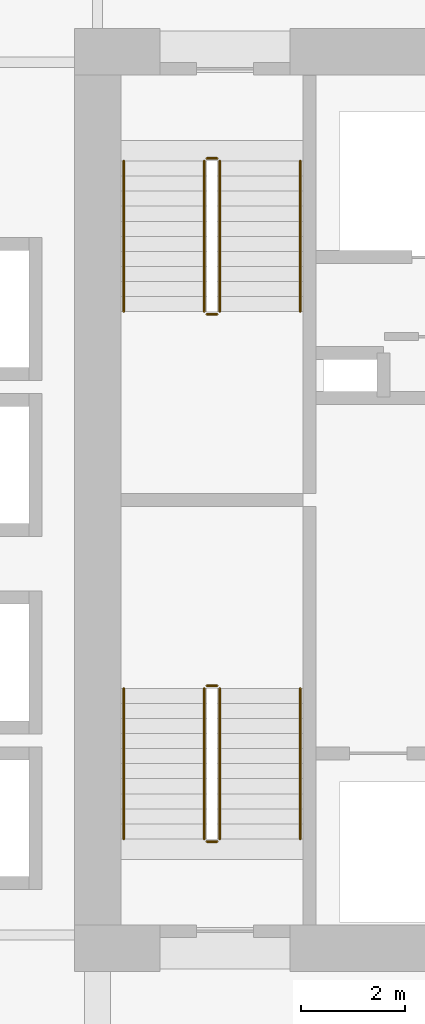
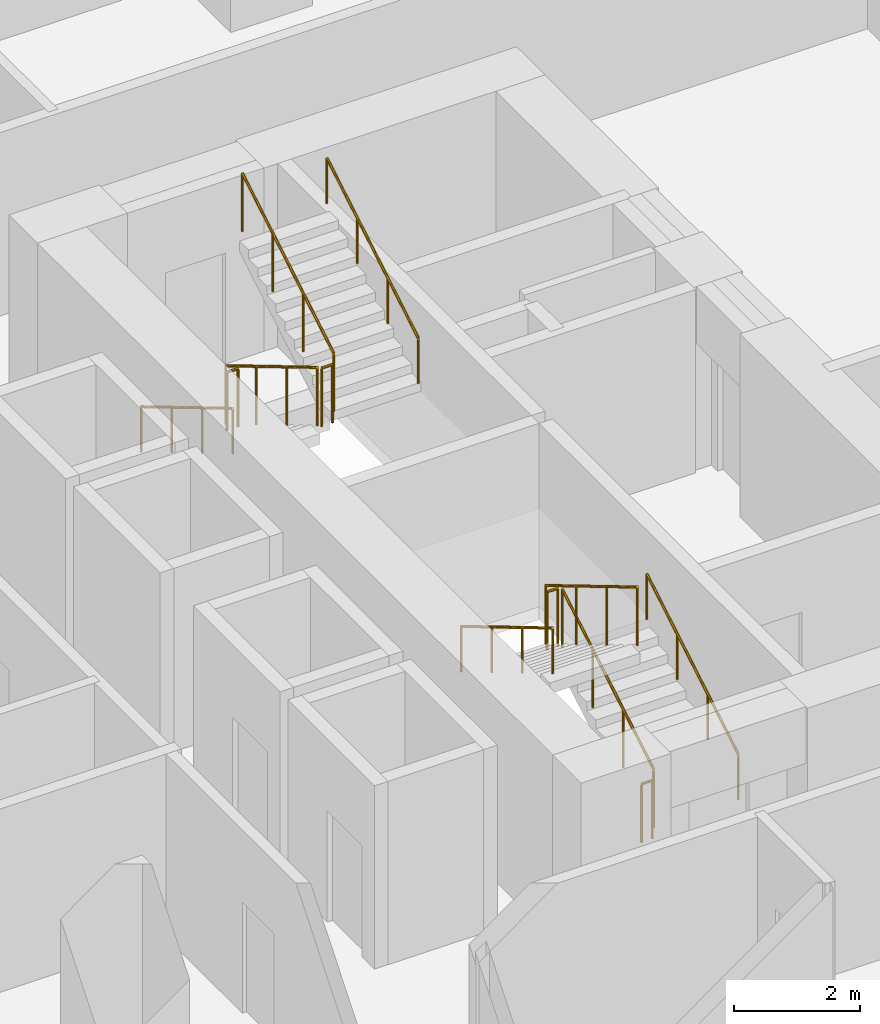
# One storey, part 22 of 23: 12 railings.
"""IFC4 building model written with IfcOpenShell, lengths in metres."""

from ifc_helpers import new_model, si_unit, direction, frame, origin, origin_2d, place, context, subcontext, project, spatial, circle, extrude, material, type_object, element, save


model = new_model("IFC4")

# Units and contexts
model_context = context("Model", 3, precision=1e-05, world=origin(), true_north=direction((0.0, 1.0)))
body_context = subcontext(model_context, "Body", "Model", "MODEL_VIEW")
ifc_project = project(units=[si_unit("LENGTHUNIT", "METRE"), si_unit("AREAUNIT", "SQUARE_METRE"), si_unit("VOLUMEUNIT", "CUBIC_METRE"), si_unit("PLANEANGLEUNIT", "RADIAN"), si_unit("MASSUNIT", "GRAM", prefix="KILO")], contexts=[model_context])

# Site, building, storey
site_placement = place(None, origin())
site = spatial("IfcSite", under=ifc_project, at=site_placement, CompositionType="ELEMENT")
building_placement = place(site_placement, origin())
building = spatial("IfcBuilding", under=site, at=building_placement, Name="Koriwani Terraces Tower", CompositionType="ELEMENT")
storey_placement = place(building_placement, frame((0.0, 0.0, 32.0)))
storey = spatial("IfcBuildingStorey", under=building, at=storey_placement, Name="L06", CompositionType="ELEMENT", Elevation=32.0)

# Railings
ifc_material = material(Name="Steel ASTM A572 Grade 50", Category="steel")
railing_type_1 = type_object("IfcRailingType", Name="GUARD_STAIR_WELL_1120", PredefinedType="GUARDRAIL", material=ifc_material)
railing_1_placement = place(storey_placement, frame((19.14990234375, 43.85009765625, 0.172607421875)))
element("IfcRailing", 1, at=railing_1_placement, inside=storey, type_object=railing_type_1, Name="L06 ST-W1 stair guard 1", PredefinedType="GUARDRAIL", context=body_context, shape_type="SweptSolid", body=[
    extrude(circle(Radius=0.02392578125, at=origin_2d()), frame((0.0, 0.0, 1.1259765625), z_axis=(0.0, 0.859141464434, 0.511738159696), x_axis=(-1.0, 0.0, 0.0)), (0.0, 0.0, 1.0), 3.375244140625),
    extrude(circle(Radius=0.02099609375, at=origin_2d()), origin(), (0.0, 0.0, 1.0), 1.101806640625),
    extrude(circle(Radius=0.02099609375, at=origin_2d()), frame((0.0, 0.966552734375, 0.57568359375)), (0.0, 0.0, 1.0), 1.101806640625),
    extrude(circle(Radius=0.02099609375, at=origin_2d()), frame((0.0, 1.933349609375, 1.151611328125)), (0.0, 0.0, 1.0), 1.101806640625),
    extrude(circle(Radius=0.02099609375, at=origin_2d()), frame((0.0, 2.89990234375, 1.727294921875)), (0.0, 0.0, 1.0), 1.101806640625),
])
railing_2_placement = place(storey_placement, frame((19.10009765625, 46.800048828125, 1.89990234375)))
element("IfcRailing", 2, at=railing_2_placement, inside=storey, type_object=railing_type_1, Name="L06 ST-W1 stair guard 2", PredefinedType="GUARDRAIL", context=body_context, shape_type="SweptSolid", body=[
    extrude(circle(Radius=0.02392578125, at=origin_2d()), frame((0.0, 0.0, 1.1259765625), z_axis=(-1.0, 0.0, 0.0), x_axis=(0.0, -1.0, 0.0)), (0.0, 0.0, 1.0), 0.2001953125),
    extrude(circle(Radius=0.02099609375, at=origin_2d()), origin(), (0.0, 0.0, 1.0), 1.101806640625),
    extrude(circle(Radius=0.02099609375, at=origin_2d()), frame((-0.2001953125, 0.0, 0.0)), (0.0, 0.0, 1.0), 1.101806640625),
])
railing_3_placement = place(storey_placement, frame((18.85009765625, 46.75, 2.07275390625)))
element("IfcRailing", 3, at=railing_3_placement, inside=storey, type_object=railing_type_1, Name="L06 ST-W1 stair guard 3", PredefinedType="GUARDRAIL", context=body_context, shape_type="SweptSolid", body=[
    extrude(circle(Radius=0.02392578125, at=origin_2d()), frame((0.0, 0.0, 1.1259765625), z_axis=(0.0, -0.859141464434, 0.511738159696), x_axis=(1.0, 0.0, 0.0)), (0.0, 0.0, 1.0), 3.375244140625),
    extrude(circle(Radius=0.02099609375, at=origin_2d()), origin(), (0.0, 0.0, 1.0), 1.101806640625),
    extrude(circle(Radius=0.02099609375, at=origin_2d()), frame((0.0, -0.966552734375, 0.57568359375)), (0.0, 0.0, 1.0), 1.101806640625),
    extrude(circle(Radius=0.02099609375, at=origin_2d()), frame((0.0, -1.933349609375, 1.151611328125)), (0.0, 0.0, 1.0), 1.101806640625),
    extrude(circle(Radius=0.02099609375, at=origin_2d()), frame((0.0, -2.89990234375, 1.727294921875)), (0.0, 0.0, 1.0), 1.101806640625),
])
railing_4_placement = place(storey_placement, frame((19.10009765625, 43.800048828125, 0.0)))
element("IfcRailing", 4, at=railing_4_placement, inside=storey, type_object=railing_type_1, Name="L06 ST-W1 stair guard 4", PredefinedType="GUARDRAIL", context=body_context, shape_type="SweptSolid", body=[
    extrude(circle(Radius=0.02392578125, at=origin_2d()), frame((0.0, 0.0, 1.1259765625), z_axis=(-1.0, 0.0, 0.0), x_axis=(0.0, -1.0, 0.0)), (0.0, 0.0, 1.0), 0.2001953125),
    extrude(circle(Radius=0.02099609375, at=origin_2d()), origin(), (0.0, 0.0, 1.0), 1.101806640625),
    extrude(circle(Radius=0.02099609375, at=origin_2d()), frame((-0.2001953125, 0.0, 0.0)), (0.0, 0.0, 1.0), 1.101806640625),
])
railing_5_placement = place(storey_placement, frame((18.85009765625, 56.89990234375, 0.172607421875)))
element("IfcRailing", 5, at=railing_5_placement, inside=storey, type_object=railing_type_1, Name="L06 ST-W2 stair guard 1", PredefinedType="GUARDRAIL", context=body_context, shape_type="SweptSolid", body=[
    extrude(circle(Radius=0.02392578125, at=origin_2d()), frame((0.0, 0.0, 1.1259765625), z_axis=(0.0, -0.859141464434, 0.511738159696), x_axis=(1.0, 0.0, 0.0)), (0.0, 0.0, 1.0), 3.375244140625),
    extrude(circle(Radius=0.02099609375, at=origin_2d()), origin(), (0.0, 0.0, 1.0), 1.101806640625),
    extrude(circle(Radius=0.02099609375, at=origin_2d()), frame((0.0, -0.966552734375, 0.57568359375)), (0.0, 0.0, 1.0), 1.101806640625),
    extrude(circle(Radius=0.02099609375, at=origin_2d()), frame((0.0, -1.933349609375, 1.151611328125)), (0.0, 0.0, 1.0), 1.101806640625),
    extrude(circle(Radius=0.02099609375, at=origin_2d()), frame((0.0, -2.89990234375, 1.727294921875)), (0.0, 0.0, 1.0), 1.101806640625),
])
railing_6_placement = place(storey_placement, frame((18.89990234375, 53.949951171875, 1.89990234375)))
element("IfcRailing", 6, at=railing_6_placement, inside=storey, type_object=railing_type_1, Name="L06 ST-W2 stair guard 2", PredefinedType="GUARDRAIL", context=body_context, shape_type="SweptSolid", body=[
    extrude(circle(Radius=0.02392578125, at=origin_2d()), frame((0.0, 0.0, 1.1259765625), z_axis=(1.0, 0.0, 0.0), x_axis=(0.0, 1.0, 0.0)), (0.0, 0.0, 1.0), 0.2001953125),
    extrude(circle(Radius=0.02099609375, at=origin_2d()), origin(), (0.0, 0.0, 1.0), 1.101806640625),
    extrude(circle(Radius=0.02099609375, at=origin_2d()), frame((0.2001953125, 0.0, 0.0)), (0.0, 0.0, 1.0), 1.101806640625),
])
railing_7_placement = place(storey_placement, frame((19.14990234375, 54.0, 2.07275390625)))
element("IfcRailing", 7, at=railing_7_placement, inside=storey, type_object=railing_type_1, Name="L06 ST-W2 stair guard 3", PredefinedType="GUARDRAIL", context=body_context, shape_type="SweptSolid", body=[
    extrude(circle(Radius=0.02392578125, at=origin_2d()), frame((0.0, 0.0, 1.1259765625), z_axis=(0.0, 0.859141464434, 0.511738159696), x_axis=(-1.0, 0.0, 0.0)), (0.0, 0.0, 1.0), 3.375244140625),
    extrude(circle(Radius=0.02099609375, at=origin_2d()), origin(), (0.0, 0.0, 1.0), 1.101806640625),
    extrude(circle(Radius=0.02099609375, at=origin_2d()), frame((0.0, 0.966552734375, 0.57568359375)), (0.0, 0.0, 1.0), 1.101806640625),
    extrude(circle(Radius=0.02099609375, at=origin_2d()), frame((0.0, 1.933349609375, 1.151611328125)), (0.0, 0.0, 1.0), 1.101806640625),
    extrude(circle(Radius=0.02099609375, at=origin_2d()), frame((0.0, 2.89990234375, 1.727294921875)), (0.0, 0.0, 1.0), 1.101806640625),
])
railing_8_placement = place(storey_placement, frame((18.89990234375, 56.949951171875, 0.0)))
element("IfcRailing", 8, at=railing_8_placement, inside=storey, type_object=railing_type_1, Name="L06 ST-W2 stair guard 4", PredefinedType="GUARDRAIL", context=body_context, shape_type="SweptSolid", body=[
    extrude(circle(Radius=0.02392578125, at=origin_2d()), frame((0.0, 0.0, 1.1259765625), z_axis=(1.0, 0.0, 0.0), x_axis=(0.0, 1.0, 0.0)), (0.0, 0.0, 1.0), 0.2001953125),
    extrude(circle(Radius=0.02099609375, at=origin_2d()), origin(), (0.0, 0.0, 1.0), 1.101806640625),
    extrude(circle(Radius=0.02099609375, at=origin_2d()), frame((0.2001953125, 0.0, 0.0)), (0.0, 0.0, 1.0), 1.101806640625),
])
railing_type_2 = type_object("IfcRailingType", Name="HANDRAIL_STAIR_920", PredefinedType="HANDRAIL", material=ifc_material)
railing_9_placement = place(storey_placement, frame((20.699951171875, 43.85009765625, 0.172607421875)))
element("IfcRailing", 9, at=railing_9_placement, inside=storey, type_object=railing_type_2, Name="L06 ST-W1 stair handrail 1", PredefinedType="HANDRAIL", context=body_context, shape_type="SweptSolid", body=[
    extrude(circle(Radius=0.02392578125, at=origin_2d()), frame((0.0, 0.0, 0.8759765625), z_axis=(0.0, 0.859141464434, 0.511738159696), x_axis=(-1.0, 0.0, 0.0)), (0.0, 0.0, 1.0), 3.375244140625),
    extrude(circle(Radius=0.02099609375, at=origin_2d()), origin(), (0.0, 0.0, 1.0), 0.851806640625),
    extrude(circle(Radius=0.02099609375, at=origin_2d()), frame((0.0, 0.966552734375, 0.57568359375)), (0.0, 0.0, 1.0), 0.851806640625),
    extrude(circle(Radius=0.02099609375, at=origin_2d()), frame((0.0, 1.933349609375, 1.151611328125)), (0.0, 0.0, 1.0), 0.851806640625),
    extrude(circle(Radius=0.02099609375, at=origin_2d()), frame((0.0, 2.89990234375, 1.727294921875)), (0.0, 0.0, 1.0), 0.851806640625),
])
for number, where, name in (
    (10, (17.300048828125, 46.75, 2.07275390625), "L06 ST-W1 stair handrail 2"),
    (11, (17.300048828125, 56.89990234375, 0.172607421875), "L06 ST-W2 stair handrail 1"),
):
    element("IfcRailing", number, at=place(storey_placement, frame(where)), inside=storey, type_object=railing_type_2, Name=name, PredefinedType="HANDRAIL", context=body_context, shape_type="SweptSolid", body=[
        extrude(circle(Radius=0.02392578125, at=origin_2d()), frame((0.0, 0.0, 0.8759765625), z_axis=(0.0, -0.859141464434, 0.511738159696), x_axis=(1.0, 0.0, 0.0)), (0.0, 0.0, 1.0), 3.375244140625),
        extrude(circle(Radius=0.02099609375, at=origin_2d()), origin(), (0.0, 0.0, 1.0), 0.851806640625),
        extrude(circle(Radius=0.02099609375, at=origin_2d()), frame((0.0, -0.966552734375, 0.57568359375)), (0.0, 0.0, 1.0), 0.851806640625),
        extrude(circle(Radius=0.02099609375, at=origin_2d()), frame((0.0, -1.933349609375, 1.151611328125)), (0.0, 0.0, 1.0), 0.851806640625),
        extrude(circle(Radius=0.02099609375, at=origin_2d()), frame((0.0, -2.89990234375, 1.727294921875)), (0.0, 0.0, 1.0), 0.851806640625),
    ])
railing_10_placement = place(storey_placement, frame((20.699951171875, 54.0, 2.07275390625)))
element("IfcRailing", 12, at=railing_10_placement, inside=storey, type_object=railing_type_2, Name="L06 ST-W2 stair handrail 2", PredefinedType="HANDRAIL", context=body_context, shape_type="SweptSolid", body=[
    extrude(circle(Radius=0.02392578125, at=origin_2d()), frame((0.0, 0.0, 0.8759765625), z_axis=(0.0, 0.859141464434, 0.511738159696), x_axis=(-1.0, 0.0, 0.0)), (0.0, 0.0, 1.0), 3.375244140625),
    extrude(circle(Radius=0.02099609375, at=origin_2d()), origin(), (0.0, 0.0, 1.0), 0.851806640625),
    extrude(circle(Radius=0.02099609375, at=origin_2d()), frame((0.0, 0.966552734375, 0.57568359375)), (0.0, 0.0, 1.0), 0.851806640625),
    extrude(circle(Radius=0.02099609375, at=origin_2d()), frame((0.0, 1.933349609375, 1.151611328125)), (0.0, 0.0, 1.0), 0.851806640625),
    extrude(circle(Radius=0.02099609375, at=origin_2d()), frame((0.0, 2.89990234375, 1.727294921875)), (0.0, 0.0, 1.0), 0.851806640625),
])

save(model, "model.ifc")
